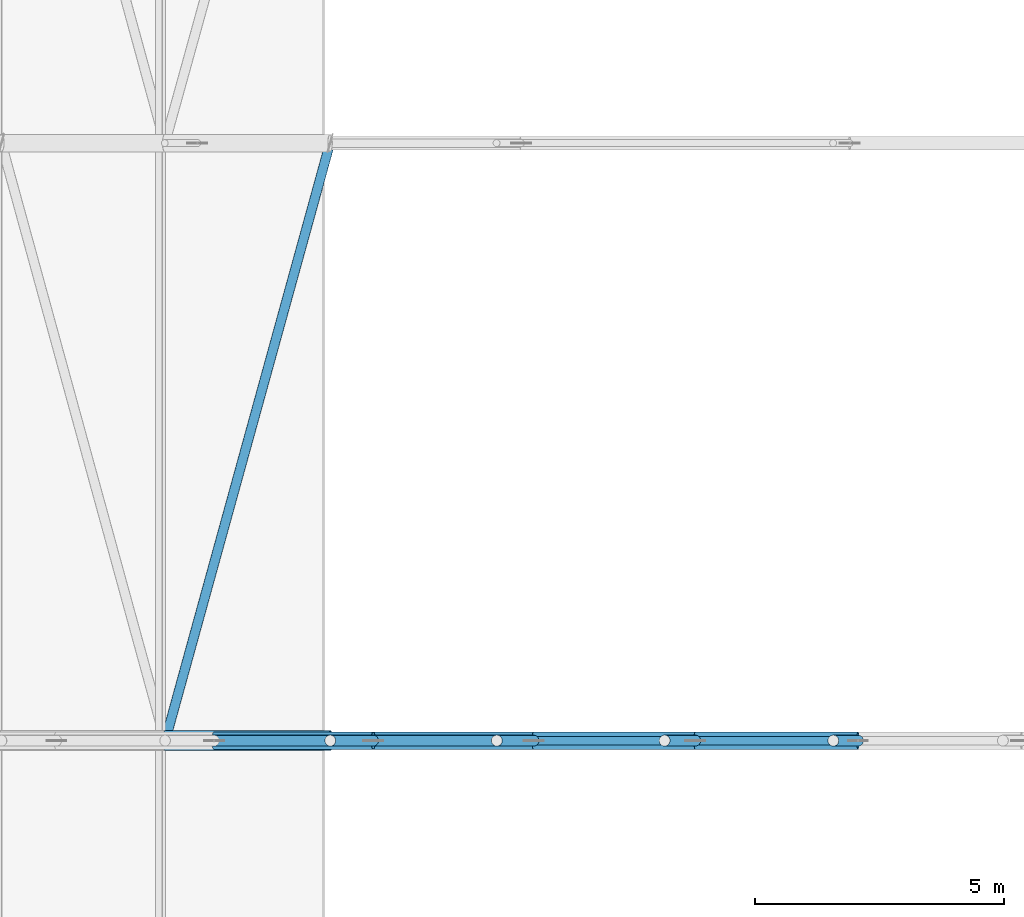
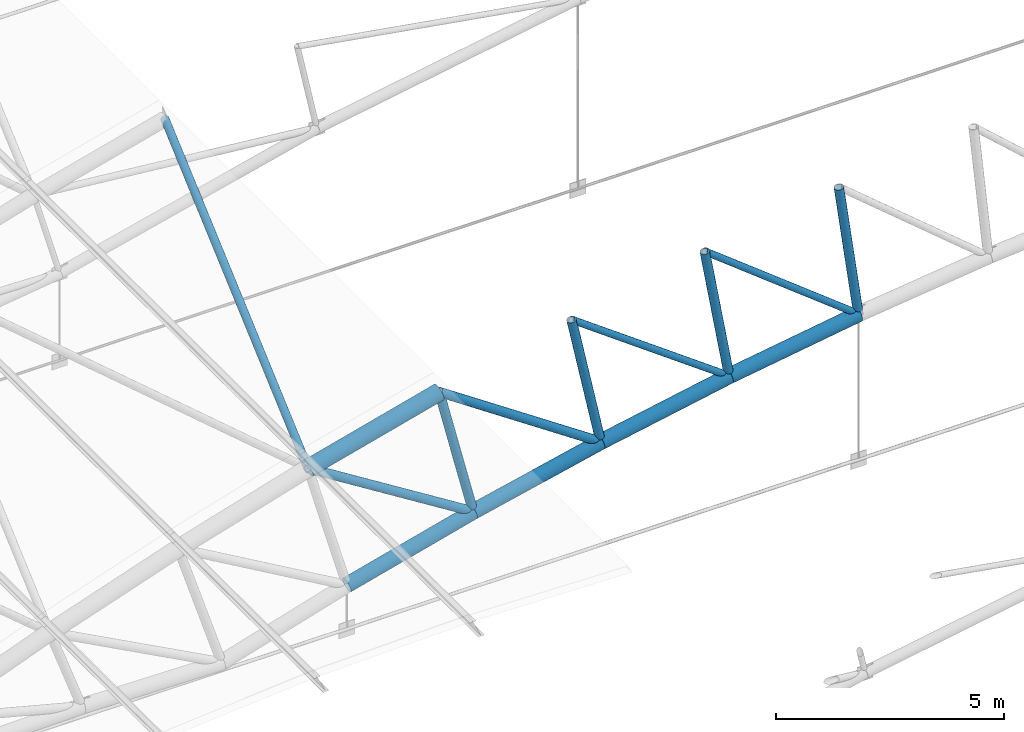
# One storey, part 68 of 321: 14 members.
"""IFC4 building model written with IfcOpenShell, lengths in metres."""

from ifc_helpers import new_model, si_unit, direction, frame, origin, origin_2d, place, context, subcontext, project, spatial, hollow_circle, extrude, material, material_profile, profile_set, type_object, element, save


model = new_model("IFC4")

# Units and contexts
model_context = context("Model", 3, precision=1e-05, world=origin(), true_north=direction((0.0, 1.0)))
body_context = subcontext(model_context, "Body", "Model", "MODEL_VIEW")
ifc_project = project(units=[si_unit("LENGTHUNIT", "METRE"), si_unit("AREAUNIT", "SQUARE_METRE"), si_unit("VOLUMEUNIT", "CUBIC_METRE"), si_unit("PLANEANGLEUNIT", "RADIAN"), si_unit("MASSUNIT", "GRAM", prefix="KILO")], contexts=[model_context])

# Site, building, storey
site_placement = place(None, origin())
site = spatial("IfcSite", under=ifc_project, at=site_placement, CompositionType="ELEMENT")
building_placement = place(site_placement, origin())
building = spatial("IfcBuilding", under=site, at=building_placement, Name="Ravi Spectrum Wholesale Market", CompositionType="ELEMENT")
storey_placement = place(building_placement, frame((0.0, 0.0, 10.800048828125)))
storey = spatial("IfcBuildingStorey", under=building, at=storey_placement, Name="L02", CompositionType="ELEMENT", Elevation=10.800048828125)

# Members
ifc_material_1 = material(Name="Steel S355", Category="steel")
ifc_material_profile_1 = material_profile(ifc_material_1, hollow_circle(Radius=0.084228515625, WallThickness=0.00634765625, at=origin_2d()))
ifc_profile_set_1 = profile_set([ifc_material_profile_1], Name="Steel S355")
member_type_1 = type_object("IfcMemberType", Name="CHS 168.3x6.3 brace", PredefinedType="BRACE", material=ifc_profile_set_1)
for number, where, z_axis, x_axis, name in (
    (1, (49.563720703125, 102.0, 6.27734375), (0.808703958366, 0.0, -0.588215868303), (0.0, 1.0, 0.0), "H1-MB-L02-563"),
    (2, (52.9326171875, 102.0, 6.92431640625), (0.787944778548, 0.0, -0.615745910225), (0.0, 1.0, 0.0), "H1-MB-L02-564"),
):
    element("IfcMember", number, at=place(storey_placement, frame(where, z_axis=z_axis, x_axis=x_axis)), inside=storey, type_object=member_type_1, Name=name, PredefinedType="BRACE", context=body_context, shape_type="SweptSolid", body=[
        extrude(hollow_circle(Radius=0.084228515625, WallThickness=0.00634765625, at=origin_2d()), origin(), (0.0, 0.0, 1.0), 4.9296875),
    ])
ifc_material_2 = material(Name="Steel S355", Category="steel")
ifc_material_profile_2 = material_profile(ifc_material_2, hollow_circle(Radius=0.096923828125, WallThickness=0.00634765625, at=origin_2d()))
ifc_profile_set_2 = profile_set([ifc_material_profile_2], Name="Steel S355")
member_type_2 = type_object("IfcMemberType", Name="CHS 193.7x6.3 brace", PredefinedType="BRACE", material=ifc_profile_set_2)
member_1_placement = place(storey_placement, frame((42.903076171875, 102.0, 4.63671875), z_axis=(0.265211760798, 0.961475768309, 0.072298470859), x_axis=(-0.963998512585, 0.265907630079, 0.0)))
element("IfcMember", 3, at=member_1_placement, inside=storey, type_object=member_type_2, Name="H1-MB-L02-1636", PredefinedType="BRACE", context=body_context, shape_type="SweptSolid", body=[
    extrude(hollow_circle(Radius=0.096923828125, WallThickness=0.00634765625, at=origin_2d()), origin(), (0.0, 0.0, 1.0), 12.480712890625),
])
ifc_material_3 = material(Name="Steel S355", Category="steel")
ifc_material_profile_3 = material_profile(ifc_material_3, hollow_circle(Radius=0.109619140625, WallThickness=0.008056640625, at=origin_2d()))
ifc_profile_set_3 = profile_set([ifc_material_profile_3], Name="Steel S355")
member_type_3 = type_object("IfcMemberType", Name="CHS 219.1x8 brace", PredefinedType="BRACE", material=ifc_profile_set_3)
for number, where, z_axis, x_axis, name in (
    (4, (42.903076171875, 102.0, 4.63671875), (0.847368909482, 0.0, -0.531004643335), (0.0, 1.0, 0.0), "H1-MB-L02-561"),
    (5, (46.21923828125, 102.0, 5.514404296875), (0.828544259915, 0.0, -0.559923574573), (0.0, 1.0, 0.0), "H1-MB-L02-562"),
):
    element("IfcMember", number, at=place(storey_placement, frame(where, z_axis=z_axis, x_axis=x_axis)), inside=storey, type_object=member_type_3, Name=name, PredefinedType="BRACE", context=body_context, shape_type="SweptSolid", body=[
        extrude(hollow_circle(Radius=0.109619140625, WallThickness=0.008056640625, at=origin_2d()), origin(), (0.0, 0.0, 1.0), 4.9296875),
    ])
ifc_material_4 = material(Name="Steel S355", Category="steel")
ifc_material_profile_4 = material_profile(ifc_material_4, hollow_circle(Radius=0.109619140625, WallThickness=0.008056640625, at=origin_2d()))
ifc_profile_set_4 = profile_set([ifc_material_profile_4], Name="Steel S355")
member_type_4 = type_object("IfcMemberType", Name="CHS 219.1x8 post", PredefinedType="POST", material=ifc_profile_set_4)
member_2_placement = place(storey_placement, frame((46.21923828125, 102.0, 5.514404296875), z_axis=(0.239199072456, 0.0, -0.970970547306), x_axis=(0.0, 1.0, 0.0)))
element("IfcMember", 6, at=member_2_placement, inside=storey, type_object=member_type_4, Name="H1-MB-L02-539", PredefinedType="POST", context=body_context, shape_type="SweptSolid", body=[
    extrude(hollow_circle(Radius=0.109619140625, WallThickness=0.008056640625, at=origin_2d()), origin(), (0.0, 0.0, 1.0), 3.599853515625),
])
for number, where, z_axis, x_axis, name in (
    (7, (49.563720703125, 102.0, 6.27734375), (0.205549060287, 0.0, -0.978646812602), (0.0, 1.0, 0.0), "H1-MB-L02-540"),
    (8, (52.9326171875, 102.0, 6.92431640625), (0.171575852457, 0.0, -0.985170912509), (0.0, 1.0, 0.0), "H1-MB-L02-541"),
):
    element("IfcMember", number, at=place(storey_placement, frame(where, z_axis=z_axis, x_axis=x_axis)), inside=storey, type_object=member_type_4, Name=name, PredefinedType="POST", context=body_context, shape_type="SweptSolid", body=[
        extrude(hollow_circle(Radius=0.109619140625, WallThickness=0.008056640625, at=origin_2d()), origin(), (0.0, 0.0, 1.0), 3.60009765625),
    ])
member_3_placement = place(storey_placement, frame((56.321533203125, 102.0, 7.45458984375), z_axis=(0.137603486835, 0.0, -0.990487395382), x_axis=(0.0, 1.0, 0.0)))
element("IfcMember", 9, at=member_3_placement, inside=storey, type_object=member_type_4, Name="H1-MB-L02-542", PredefinedType="POST", context=body_context, shape_type="SweptSolid", body=[
    extrude(hollow_circle(Radius=0.109619140625, WallThickness=0.008056640625, at=origin_2d()), origin(), (0.0, 0.0, 1.0), 3.599853515625),
])
ifc_material_5 = material(Name="Steel S355", Category="steel")
ifc_material_profile_5 = material_profile(ifc_material_5, hollow_circle(Radius=0.177734375, WallThickness=0.012451171875, at=origin_2d()))
ifc_profile_set_5 = profile_set([ifc_material_profile_5], Name="Steel S355")
member_type_5 = type_object("IfcMemberType", Name="CHS 355.6x12.5 chord", PredefinedType="CHORD", material=ifc_profile_set_5)
for number, where, z_axis, x_axis, name in (
    (10, (43.88427734375, 102.0, 1.173095703125), (0.966710063159, 0.0, 0.255874292938), (0.0, 1.0, 0.0), "H1-MB-L02-515"),
    (11, (47.080322265625, 102.0, 2.01904296875), (0.974967923727, 0.0, 0.222345559217), (0.0, 1.0, 0.0), "H1-MB-L02-516"),
):
    element("IfcMember", number, at=place(storey_placement, frame(where, z_axis=z_axis, x_axis=x_axis)), inside=storey, type_object=member_type_5, Name=name, PredefinedType="CHORD", context=body_context, shape_type="SweptSolid", body=[
        extrude(hollow_circle(Radius=0.177734375, WallThickness=0.012451171875, at=origin_2d()), origin(), (0.0, 0.0, 1.0), 3.30615234375),
    ])
member_4_placement = place(storey_placement, frame((50.3037109375, 102.0, 2.754150390625), z_axis=(0.982051718756, 0.0, 0.188611828072), x_axis=(0.0, 1.0, 0.0)))
element("IfcMember", 12, at=member_4_placement, inside=storey, type_object=member_type_5, Name="H1-MB-L02-517", PredefinedType="CHORD", context=body_context, shape_type="SweptSolid", body=[
    extrude(hollow_circle(Radius=0.177734375, WallThickness=0.012451171875, at=origin_2d()), origin(), (0.0, 0.0, 1.0), 3.305908203125),
])
member_5_placement = place(storey_placement, frame((53.55029296875, 102.0, 3.377685546875), z_axis=(0.987973992944, 0.0, 0.154620145084), x_axis=(0.0, 1.0, 0.0)))
element("IfcMember", 13, at=member_5_placement, inside=storey, type_object=member_type_5, Name="H1-MB-L02-518", PredefinedType="CHORD", context=body_context, shape_type="SweptSolid", body=[
    extrude(hollow_circle(Radius=0.177734375, WallThickness=0.012451171875, at=origin_2d()), origin(), (0.0, 0.0, 1.0), 3.306396484375),
])
ifc_material_6 = material(Name="Steel S355", Category="steel")
ifc_material_profile_6 = material_profile(ifc_material_6, hollow_circle(Radius=0.203125, WallThickness=0.01611328125, at=origin_2d()))
ifc_profile_set_6 = profile_set([ifc_material_profile_6], Name="Steel S355")
member_type_6 = type_object("IfcMemberType", Name="CHS 406.4x16 chord", PredefinedType="CHORD", material=ifc_profile_set_6)
member_6_placement = place(storey_placement, frame((42.903076171875, 102.0, 4.63671875), z_axis=(0.966714030155, 0.0, 0.255859304896), x_axis=(0.0, 1.0, 0.0)))
element("IfcMember", 14, at=member_6_placement, inside=storey, type_object=member_type_6, Name="H1-MB-L02-491", PredefinedType="CHORD", context=body_context, shape_type="SweptSolid", body=[
    extrude(hollow_circle(Radius=0.203125, WallThickness=0.01611328125, at=origin_2d()), origin(), (0.0, 0.0, 1.0), 3.430419921875),
])

save(model, "model.ifc")
